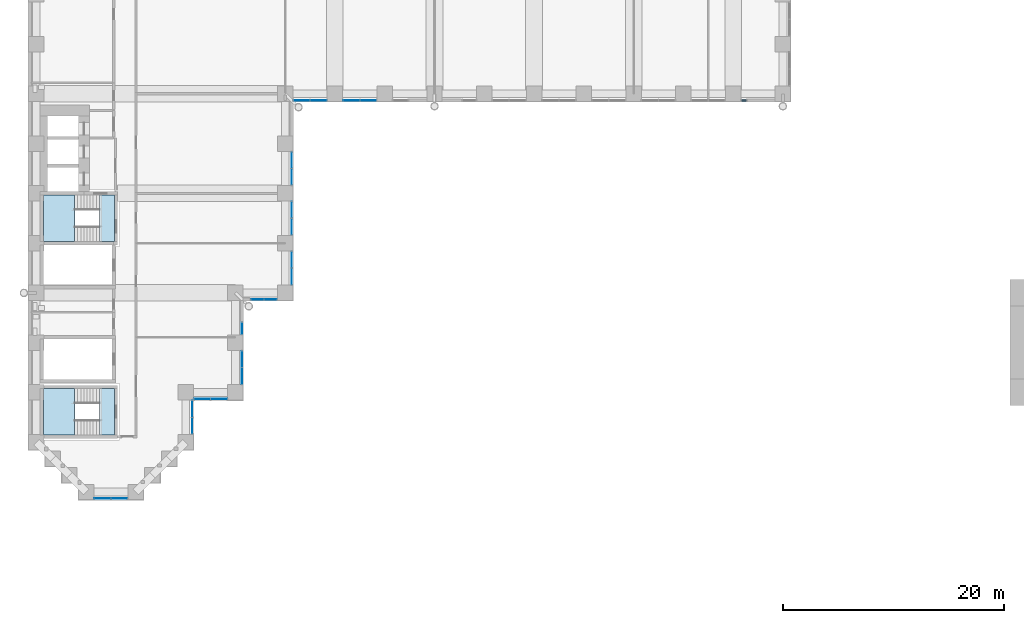
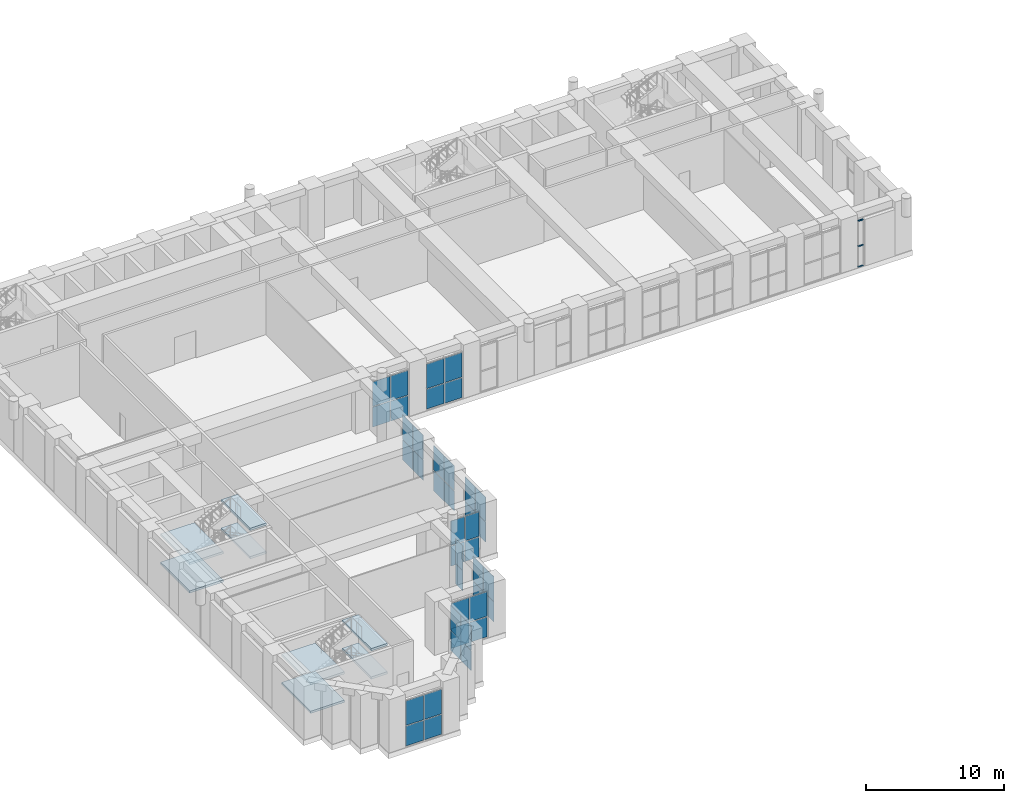
# One storey, part 13 of 35: 42 plates, 8 slabs, 3 members, 14 elements without a shape of their own.
"""IFC4 building model written with IfcOpenShell, lengths in metres."""

from ifc_helpers import new_model, si_unit, direction, frame, origin, origin_2d, place, context, subcontext, project, spatial, polyline, rectangle, outline, extrude, material, layer, layer_set, material_profile, profile_set, type_object, element, aggregate, save


model = new_model("IFC4")

# Units and contexts
model_context = context("Model", 3, precision=1e-05, world=origin(), true_north=direction((0.0, 1.0)))
body_context = subcontext(model_context, "Body", "Model", "MODEL_VIEW")
ifc_project = project(units=[si_unit("LENGTHUNIT", "METRE"), si_unit("AREAUNIT", "SQUARE_METRE"), si_unit("VOLUMEUNIT", "CUBIC_METRE"), si_unit("PLANEANGLEUNIT", "RADIAN"), si_unit("MASSUNIT", "GRAM", prefix="KILO")], contexts=[model_context])

# Site, building, storey
site_placement = place(None, origin())
site = spatial("IfcSite", under=ifc_project, at=site_placement, CompositionType="ELEMENT")
building_placement = place(site_placement, origin())
building = spatial("IfcBuilding", under=site, at=building_placement, Name="Firuza Court", CompositionType="ELEMENT")
storey_placement = place(building_placement, frame((0.0, 0.0, 24.0)))
storey = spatial("IfcBuildingStorey", under=building, at=storey_placement, Name="L04", CompositionType="ELEMENT", Elevation=24.0)

# Curtain wall, members
ifc_material_1 = material(Name="Aluminium curtain wall, triple clear glazing", Category="aluminium")
curtain_wall_type = type_object("IfcCurtainWallType", Name="Podium unitised curtain wall CW1", PredefinedType="NOTDEFINED", material=ifc_material_1)
curtain_wall_1_placement = place(storey_placement, origin())
curtain_wall_1 = element("IfcCurtainWall", 1, at=curtain_wall_1_placement, inside=storey, type_object=curtain_wall_type, Name="Podium unitised curtain wall CW1 L04", PredefinedType="NOTDEFINED")
ifc_material_2 = material(Name="Aluminium EN AW-6060 T66", Category="aluminium")
ifc_material_profile = material_profile(ifc_material_2, rectangle(XDim=0.1201171875, YDim=0.06005859375, at=origin_2d()), Name="Transom 120 x 60 CW1")
ifc_profile_set = profile_set([ifc_material_profile], Name="Aluminium EN AW-6060 T66")
member_type = type_object("IfcMemberType", Name="Transom 120 x 60 CW1", PredefinedType="USERDEFINED", material=ifc_profile_set)
member_1_placement = place(storey_placement, frame((63.760009765625, 35.39990234375, 0.030029296875), z_axis=(1.0, 0.0, 0.0), x_axis=(0.0, 1.0, 0.0)))
member_1 = element("IfcMember", 2, at=member_1_placement, type_object=member_type, Name="CW1 transom 1.1", ObjectType="TRANSOM", PredefinedType="USERDEFINED", context=body_context, shape_type="SweptSolid", body=[
    extrude(rectangle(XDim=0.1201171875, YDim=0.06005859375, at=origin_2d()), origin(), (0.0, 0.0, 1.0), 0.436767578125),
])
member_2_placement = place(storey_placement, frame((63.760009765625, 35.39990234375, 1.844970703125), z_axis=(1.0, 0.0, 0.0), x_axis=(0.0, 1.0, 0.0)))
member_2 = element("IfcMember", 3, at=member_2_placement, type_object=member_type, Name="CW1 transom 1.2", ObjectType="TRANSOM", PredefinedType="USERDEFINED", context=body_context, shape_type="SweptSolid", body=[
    extrude(rectangle(XDim=0.1201171875, YDim=0.06005859375, at=origin_2d()), origin(), (0.0, 0.0, 1.0), 0.436767578125),
])
member_3_placement = place(storey_placement, frame((63.760009765625, 35.39990234375, 4.070068359375), z_axis=(1.0, 0.0, 0.0), x_axis=(0.0, 1.0, 0.0)))
member_3 = element("IfcMember", 4, at=member_3_placement, type_object=member_type, Name="CW1 transom 1.3", ObjectType="TRANSOM", PredefinedType="USERDEFINED", context=body_context, shape_type="SweptSolid", body=[
    extrude(rectangle(XDim=0.1201171875, YDim=0.06005859375, at=origin_2d()), origin(), (0.0, 0.0, 1.0), 0.436767578125),
])
aggregate(curtain_wall_1, [member_1, member_2, member_3])

# Curtain wall, plates
curtain_wall_2_placement = place(storey_placement, origin())
curtain_wall_2 = element("IfcCurtainWall", 5, at=curtain_wall_2_placement, inside=storey, type_object=curtain_wall_type, Name="Podium unitised curtain wall CW1 L04", PredefinedType="NOTDEFINED")
ifc_material_3 = material(Name="Triple clear glazing", Category="glass")
ifc_layer_1 = layer(ifc_material_3, 0.031982421875)
ifc_layer_set_1 = layer_set([ifc_layer_1], Name="Triple clear glazing")
plate_type = type_object("IfcPlateType", Name="Glazed panel 32 CW1", PredefinedType="CURTAIN_PANEL", material=ifc_layer_set_1)
plate_1_placement = place(storey_placement, frame((14.10009765625, 5.989990234375, 0.06005859375), z_axis=(0.0, 0.0, 1.0), x_axis=(0.0, 1.0, 0.0)))
plate_1 = element("IfcPlate", 6, at=plate_1_placement, type_object=plate_type, Name="CW1 panel 1.1", PredefinedType="CURTAIN_PANEL", context=body_context, shape_type="SweptSolid", body=[
    extrude(rectangle(XDim=1.4599609375, YDim=0.031982421875, at=origin_2d()), origin(), (0.0, 0.0, 1.0), 1.7548828125),
])
plate_2_placement = place(storey_placement, frame((14.10009765625, 5.989990234375, 1.875), z_axis=(0.0, 0.0, 1.0), x_axis=(0.0, 1.0, 0.0)))
plate_2 = element("IfcPlate", 7, at=plate_2_placement, type_object=plate_type, Name="CW1 panel 1.2", PredefinedType="CURTAIN_PANEL", context=body_context, shape_type="SweptSolid", body=[
    extrude(rectangle(XDim=1.4599609375, YDim=0.031982421875, at=origin_2d()), origin(), (0.0, 0.0, 1.0), 2.1650390625),
])
plate_3_placement = place(storey_placement, frame((14.10009765625, 7.510009765625, 0.06005859375), z_axis=(0.0, 0.0, 1.0), x_axis=(0.0, 1.0, 0.0)))
plate_3 = element("IfcPlate", 8, at=plate_3_placement, type_object=plate_type, Name="CW1 panel 2.1", PredefinedType="CURTAIN_PANEL", context=body_context, shape_type="SweptSolid", body=[
    extrude(rectangle(XDim=1.4599609375, YDim=0.031982421875, at=origin_2d()), origin(), (0.0, 0.0, 1.0), 1.7548828125),
])
plate_4_placement = place(storey_placement, frame((14.10009765625, 7.510009765625, 1.875), z_axis=(0.0, 0.0, 1.0), x_axis=(0.0, 1.0, 0.0)))
plate_4 = element("IfcPlate", 9, at=plate_4_placement, type_object=plate_type, Name="CW1 panel 2.2", PredefinedType="CURTAIN_PANEL", context=body_context, shape_type="SweptSolid", body=[
    extrude(rectangle(XDim=1.4599609375, YDim=0.031982421875, at=origin_2d()), origin(), (0.0, 0.0, 1.0), 2.1650390625),
])
aggregate(curtain_wall_2, [plate_1, plate_2, plate_3, plate_4])

curtain_wall_3_placement = place(storey_placement, origin())
curtain_wall_3 = element("IfcCurtainWall", 10, at=curtain_wall_3_placement, inside=storey, type_object=curtain_wall_type, Name="Podium unitised curtain wall CW1 L04", PredefinedType="NOTDEFINED")
plate_5_placement = place(storey_placement, frame((14.989990234375, 8.39990234375, 0.06005859375), z_axis=(0.0, 0.0, 1.0), x_axis=(1.0, 0.0, 0.0)))
plate_5 = element("IfcPlate", 11, at=plate_5_placement, type_object=plate_type, Name="CW1 panel 1.1", PredefinedType="CURTAIN_PANEL", context=body_context, shape_type="SweptSolid", body=[
    extrude(rectangle(XDim=1.4599609375, YDim=0.031982421875, at=origin_2d()), origin(), (0.0, 0.0, 1.0), 1.7548828125),
])
plate_6_placement = place(storey_placement, frame((14.989990234375, 8.39990234375, 1.875), z_axis=(0.0, 0.0, 1.0), x_axis=(1.0, 0.0, 0.0)))
plate_6 = element("IfcPlate", 12, at=plate_6_placement, type_object=plate_type, Name="CW1 panel 1.2", PredefinedType="CURTAIN_PANEL", context=body_context, shape_type="SweptSolid", body=[
    extrude(rectangle(XDim=1.4599609375, YDim=0.031982421875, at=origin_2d()), origin(), (0.0, 0.0, 1.0), 2.1650390625),
])
plate_7_placement = place(storey_placement, frame((16.510009765625, 8.39990234375, 0.06005859375), z_axis=(0.0, 0.0, 1.0), x_axis=(1.0, 0.0, 0.0)))
plate_7 = element("IfcPlate", 13, at=plate_7_placement, type_object=plate_type, Name="CW1 panel 2.1", PredefinedType="CURTAIN_PANEL", context=body_context, shape_type="SweptSolid", body=[
    extrude(rectangle(XDim=1.4599609375, YDim=0.031982421875, at=origin_2d()), origin(), (0.0, 0.0, 1.0), 1.7548828125),
])
plate_8_placement = place(storey_placement, frame((16.510009765625, 8.39990234375, 1.875), z_axis=(0.0, 0.0, 1.0), x_axis=(1.0, 0.0, 0.0)))
plate_8 = element("IfcPlate", 14, at=plate_8_placement, type_object=plate_type, Name="CW1 panel 2.2", PredefinedType="CURTAIN_PANEL", context=body_context, shape_type="SweptSolid", body=[
    extrude(rectangle(XDim=1.4599609375, YDim=0.031982421875, at=origin_2d()), origin(), (0.0, 0.0, 1.0), 2.1650390625),
])
aggregate(curtain_wall_3, [plate_5, plate_6, plate_7, plate_8])

curtain_wall_4_placement = place(storey_placement, origin())
curtain_wall_4 = element("IfcCurtainWall", 15, at=curtain_wall_4_placement, inside=storey, type_object=curtain_wall_type, Name="Podium unitised curtain wall CW1 L04", PredefinedType="NOTDEFINED")
plate_9_placement = place(storey_placement, frame((18.60009765625, 10.489990234375, 0.06005859375), z_axis=(0.0, 0.0, 1.0), x_axis=(0.0, 1.0, 0.0)))
plate_9 = element("IfcPlate", 16, at=plate_9_placement, type_object=plate_type, Name="CW1 panel 1.1", PredefinedType="CURTAIN_PANEL", context=body_context, shape_type="SweptSolid", body=[
    extrude(rectangle(XDim=1.4599609375, YDim=0.031982421875, at=origin_2d()), origin(), (0.0, 0.0, 1.0), 1.7548828125),
])
plate_10_placement = place(storey_placement, frame((18.60009765625, 10.489990234375, 1.875), z_axis=(0.0, 0.0, 1.0), x_axis=(0.0, 1.0, 0.0)))
plate_10 = element("IfcPlate", 17, at=plate_10_placement, type_object=plate_type, Name="CW1 panel 1.2", PredefinedType="CURTAIN_PANEL", context=body_context, shape_type="SweptSolid", body=[
    extrude(rectangle(XDim=1.4599609375, YDim=0.031982421875, at=origin_2d()), origin(), (0.0, 0.0, 1.0), 2.1650390625),
])
plate_11_placement = place(storey_placement, frame((18.60009765625, 12.010009765625, 0.06005859375), z_axis=(0.0, 0.0, 1.0), x_axis=(0.0, 1.0, 0.0)))
plate_11 = element("IfcPlate", 18, at=plate_11_placement, type_object=plate_type, Name="CW1 panel 2.1", PredefinedType="CURTAIN_PANEL", context=body_context, shape_type="SweptSolid", body=[
    extrude(rectangle(XDim=1.4599609375, YDim=0.031982421875, at=origin_2d()), origin(), (0.0, 0.0, 1.0), 1.7548828125),
])
plate_12_placement = place(storey_placement, frame((18.60009765625, 12.010009765625, 1.875), z_axis=(0.0, 0.0, 1.0), x_axis=(0.0, 1.0, 0.0)))
plate_12 = element("IfcPlate", 19, at=plate_12_placement, type_object=plate_type, Name="CW1 panel 2.2", PredefinedType="CURTAIN_PANEL", context=body_context, shape_type="SweptSolid", body=[
    extrude(rectangle(XDim=1.4599609375, YDim=0.031982421875, at=origin_2d()), origin(), (0.0, 0.0, 1.0), 2.1650390625),
])
aggregate(curtain_wall_4, [plate_9, plate_10, plate_11, plate_12])

curtain_wall_5_placement = place(storey_placement, origin())
curtain_wall_5 = element("IfcCurtainWall", 20, at=curtain_wall_5_placement, inside=storey, type_object=curtain_wall_type, Name="Podium unitised curtain wall CW1 L04", PredefinedType="NOTDEFINED")
plate_13_placement = place(storey_placement, frame((18.60009765625, 14.791015625, 0.06005859375), z_axis=(0.0, 0.0, 1.0), x_axis=(0.0, 1.0, 0.0)))
plate_13 = element("IfcPlate", 21, at=plate_13_placement, type_object=plate_type, Name="CW1 panel 1.1", PredefinedType="CURTAIN_PANEL", context=body_context, shape_type="SweptSolid", body=[
    extrude(rectangle(XDim=1.06201171875, YDim=0.031982421875, at=origin_2d()), origin(), (0.0, 0.0, 1.0), 1.7548828125),
])
plate_14_placement = place(storey_placement, frame((18.60009765625, 14.791015625, 1.875), z_axis=(0.0, 0.0, 1.0), x_axis=(0.0, 1.0, 0.0)))
plate_14 = element("IfcPlate", 22, at=plate_14_placement, type_object=plate_type, Name="CW1 panel 1.2", PredefinedType="CURTAIN_PANEL", context=body_context, shape_type="SweptSolid", body=[
    extrude(rectangle(XDim=1.06201171875, YDim=0.031982421875, at=origin_2d()), origin(), (0.0, 0.0, 1.0), 2.1650390625),
])
aggregate(curtain_wall_5, [plate_13, plate_14])

curtain_wall_6_placement = place(storey_placement, origin())
curtain_wall_6 = element("IfcCurtainWall", 23, at=curtain_wall_6_placement, inside=storey, type_object=curtain_wall_type, Name="Podium unitised curtain wall CW1 L04", PredefinedType="NOTDEFINED")
plate_15_placement = place(storey_placement, frame((19.9775390625, 17.39990234375, 0.06005859375), z_axis=(0.0, 0.0, 1.0), x_axis=(1.0, 0.0, 0.0)))
plate_15 = element("IfcPlate", 24, at=plate_15_placement, type_object=plate_type, Name="CW1 panel 1.1", PredefinedType="CURTAIN_PANEL", context=body_context, shape_type="SweptSolid", body=[
    extrude(rectangle(XDim=1.135009765625, YDim=0.031982421875, at=origin_2d()), origin(), (0.0, 0.0, 1.0), 1.7548828125),
])
plate_16_placement = place(storey_placement, frame((19.9775390625, 17.39990234375, 1.875), z_axis=(0.0, 0.0, 1.0), x_axis=(1.0, 0.0, 0.0)))
plate_16 = element("IfcPlate", 25, at=plate_16_placement, type_object=plate_type, Name="CW1 panel 1.2", PredefinedType="CURTAIN_PANEL", context=body_context, shape_type="SweptSolid", body=[
    extrude(rectangle(XDim=1.135009765625, YDim=0.031982421875, at=origin_2d()), origin(), (0.0, 0.0, 1.0), 2.1650390625),
])
plate_17_placement = place(storey_placement, frame((21.172607421875, 17.39990234375, 0.06005859375), z_axis=(0.0, 0.0, 1.0), x_axis=(1.0, 0.0, 0.0)))
plate_17 = element("IfcPlate", 26, at=plate_17_placement, type_object=plate_type, Name="CW1 panel 2.1", PredefinedType="CURTAIN_PANEL", context=body_context, shape_type="SweptSolid", body=[
    extrude(rectangle(XDim=1.135009765625, YDim=0.031982421875, at=origin_2d()), origin(), (0.0, 0.0, 1.0), 1.7548828125),
])
plate_18_placement = place(storey_placement, frame((21.172607421875, 17.39990234375, 1.875), z_axis=(0.0, 0.0, 1.0), x_axis=(1.0, 0.0, 0.0)))
plate_18 = element("IfcPlate", 27, at=plate_18_placement, type_object=plate_type, Name="CW1 panel 2.2", PredefinedType="CURTAIN_PANEL", context=body_context, shape_type="SweptSolid", body=[
    extrude(rectangle(XDim=1.135009765625, YDim=0.031982421875, at=origin_2d()), origin(), (0.0, 0.0, 1.0), 2.1650390625),
])
aggregate(curtain_wall_6, [plate_15, plate_16, plate_17, plate_18])

curtain_wall_7_placement = place(storey_placement, origin())
curtain_wall_7 = element("IfcCurtainWall", 28, at=curtain_wall_7_placement, inside=storey, type_object=curtain_wall_type, Name="Podium unitised curtain wall CW1 L04", PredefinedType="NOTDEFINED")
plate_19_placement = place(storey_placement, frame((23.10009765625, 19.489990234375, 0.06005859375), z_axis=(0.0, 0.0, 1.0), x_axis=(0.0, 1.0, 0.0)))
plate_19 = element("IfcPlate", 29, at=plate_19_placement, type_object=plate_type, Name="CW1 panel 1.1", PredefinedType="CURTAIN_PANEL", context=body_context, shape_type="SweptSolid", body=[
    extrude(rectangle(XDim=1.4599609375, YDim=0.031982421875, at=origin_2d()), origin(), (0.0, 0.0, 1.0), 1.7548828125),
])
plate_20_placement = place(storey_placement, frame((23.10009765625, 19.489990234375, 1.875), z_axis=(0.0, 0.0, 1.0), x_axis=(0.0, 1.0, 0.0)))
plate_20 = element("IfcPlate", 30, at=plate_20_placement, type_object=plate_type, Name="CW1 panel 1.2", PredefinedType="CURTAIN_PANEL", context=body_context, shape_type="SweptSolid", body=[
    extrude(rectangle(XDim=1.4599609375, YDim=0.031982421875, at=origin_2d()), origin(), (0.0, 0.0, 1.0), 2.1650390625),
])
plate_21_placement = place(storey_placement, frame((23.10009765625, 21.010009765625, 0.06005859375), z_axis=(0.0, 0.0, 1.0), x_axis=(0.0, 1.0, 0.0)))
plate_21 = element("IfcPlate", 31, at=plate_21_placement, type_object=plate_type, Name="CW1 panel 2.1", PredefinedType="CURTAIN_PANEL", context=body_context, shape_type="SweptSolid", body=[
    extrude(rectangle(XDim=1.4599609375, YDim=0.031982421875, at=origin_2d()), origin(), (0.0, 0.0, 1.0), 1.7548828125),
])
plate_22_placement = place(storey_placement, frame((23.10009765625, 21.010009765625, 1.875), z_axis=(0.0, 0.0, 1.0), x_axis=(0.0, 1.0, 0.0)))
plate_22 = element("IfcPlate", 32, at=plate_22_placement, type_object=plate_type, Name="CW1 panel 2.2", PredefinedType="CURTAIN_PANEL", context=body_context, shape_type="SweptSolid", body=[
    extrude(rectangle(XDim=1.4599609375, YDim=0.031982421875, at=origin_2d()), origin(), (0.0, 0.0, 1.0), 2.1650390625),
])
aggregate(curtain_wall_7, [plate_19, plate_20, plate_21, plate_22])

curtain_wall_8_placement = place(storey_placement, origin())
curtain_wall_8 = element("IfcCurtainWall", 33, at=curtain_wall_8_placement, inside=storey, type_object=curtain_wall_type, Name="Podium unitised curtain wall CW1 L04", PredefinedType="NOTDEFINED")
plate_23_placement = place(storey_placement, frame((23.10009765625, 23.989990234375, 0.06005859375), z_axis=(0.0, 0.0, 1.0), x_axis=(0.0, 1.0, 0.0)))
plate_23 = element("IfcPlate", 34, at=plate_23_placement, type_object=plate_type, Name="CW1 panel 1.1", PredefinedType="CURTAIN_PANEL", context=body_context, shape_type="SweptSolid", body=[
    extrude(rectangle(XDim=1.4599609375, YDim=0.031982421875, at=origin_2d()), origin(), (0.0, 0.0, 1.0), 1.7548828125),
])
plate_24_placement = place(storey_placement, frame((23.10009765625, 23.989990234375, 1.875), z_axis=(0.0, 0.0, 1.0), x_axis=(0.0, 1.0, 0.0)))
plate_24 = element("IfcPlate", 35, at=plate_24_placement, type_object=plate_type, Name="CW1 panel 1.2", PredefinedType="CURTAIN_PANEL", context=body_context, shape_type="SweptSolid", body=[
    extrude(rectangle(XDim=1.4599609375, YDim=0.031982421875, at=origin_2d()), origin(), (0.0, 0.0, 1.0), 2.1650390625),
])
plate_25_placement = place(storey_placement, frame((23.10009765625, 25.510009765625, 0.06005859375), z_axis=(0.0, 0.0, 1.0), x_axis=(0.0, 1.0, 0.0)))
plate_25 = element("IfcPlate", 36, at=plate_25_placement, type_object=plate_type, Name="CW1 panel 2.1", PredefinedType="CURTAIN_PANEL", context=body_context, shape_type="SweptSolid", body=[
    extrude(rectangle(XDim=1.4599609375, YDim=0.031982421875, at=origin_2d()), origin(), (0.0, 0.0, 1.0), 1.7548828125),
])
plate_26_placement = place(storey_placement, frame((23.10009765625, 25.510009765625, 1.875), z_axis=(0.0, 0.0, 1.0), x_axis=(0.0, 1.0, 0.0)))
plate_26 = element("IfcPlate", 37, at=plate_26_placement, type_object=plate_type, Name="CW1 panel 2.2", PredefinedType="CURTAIN_PANEL", context=body_context, shape_type="SweptSolid", body=[
    extrude(rectangle(XDim=1.4599609375, YDim=0.031982421875, at=origin_2d()), origin(), (0.0, 0.0, 1.0), 2.1650390625),
])
aggregate(curtain_wall_8, [plate_23, plate_24, plate_25, plate_26])

curtain_wall_9_placement = place(storey_placement, origin())
curtain_wall_9 = element("IfcCurtainWall", 38, at=curtain_wall_9_placement, inside=storey, type_object=curtain_wall_type, Name="Podium unitised curtain wall CW1 L04", PredefinedType="NOTDEFINED")
plate_27_placement = place(storey_placement, frame((23.10009765625, 28.489990234375, 0.06005859375), z_axis=(0.0, 0.0, 1.0), x_axis=(0.0, 1.0, 0.0)))
plate_27 = element("IfcPlate", 39, at=plate_27_placement, type_object=plate_type, Name="CW1 panel 1.1", PredefinedType="CURTAIN_PANEL", context=body_context, shape_type="SweptSolid", body=[
    extrude(rectangle(XDim=1.4599609375, YDim=0.031982421875, at=origin_2d()), origin(), (0.0, 0.0, 1.0), 1.7548828125),
])
plate_28_placement = place(storey_placement, frame((23.10009765625, 28.489990234375, 1.875), z_axis=(0.0, 0.0, 1.0), x_axis=(0.0, 1.0, 0.0)))
plate_28 = element("IfcPlate", 40, at=plate_28_placement, type_object=plate_type, Name="CW1 panel 1.2", PredefinedType="CURTAIN_PANEL", context=body_context, shape_type="SweptSolid", body=[
    extrude(rectangle(XDim=1.4599609375, YDim=0.031982421875, at=origin_2d()), origin(), (0.0, 0.0, 1.0), 2.1650390625),
])
plate_29_placement = place(storey_placement, frame((23.10009765625, 30.010009765625, 0.06005859375), z_axis=(0.0, 0.0, 1.0), x_axis=(0.0, 1.0, 0.0)))
plate_29 = element("IfcPlate", 41, at=plate_29_placement, type_object=plate_type, Name="CW1 panel 2.1", PredefinedType="CURTAIN_PANEL", context=body_context, shape_type="SweptSolid", body=[
    extrude(rectangle(XDim=1.4599609375, YDim=0.031982421875, at=origin_2d()), origin(), (0.0, 0.0, 1.0), 1.7548828125),
])
plate_30_placement = place(storey_placement, frame((23.10009765625, 30.010009765625, 1.875), z_axis=(0.0, 0.0, 1.0), x_axis=(0.0, 1.0, 0.0)))
plate_30 = element("IfcPlate", 42, at=plate_30_placement, type_object=plate_type, Name="CW1 panel 2.2", PredefinedType="CURTAIN_PANEL", context=body_context, shape_type="SweptSolid", body=[
    extrude(rectangle(XDim=1.4599609375, YDim=0.031982421875, at=origin_2d()), origin(), (0.0, 0.0, 1.0), 2.1650390625),
])
aggregate(curtain_wall_9, [plate_27, plate_28, plate_29, plate_30])

curtain_wall_10_placement = place(storey_placement, origin())
curtain_wall_10 = element("IfcCurtainWall", 43, at=curtain_wall_10_placement, inside=storey, type_object=curtain_wall_type, Name="Podium unitised curtain wall CW1 L04", PredefinedType="NOTDEFINED")
plate_31_placement = place(storey_placement, frame((23.989990234375, 35.39990234375, 0.06005859375), z_axis=(0.0, 0.0, 1.0), x_axis=(1.0, 0.0, 0.0)))
plate_31 = element("IfcPlate", 44, at=plate_31_placement, type_object=plate_type, Name="CW1 panel 1.1", PredefinedType="CURTAIN_PANEL", context=body_context, shape_type="SweptSolid", body=[
    extrude(rectangle(XDim=1.4599609375, YDim=0.031982421875, at=origin_2d()), origin(), (0.0, 0.0, 1.0), 1.7548828125),
])
plate_32_placement = place(storey_placement, frame((23.989990234375, 35.39990234375, 1.875), z_axis=(0.0, 0.0, 1.0), x_axis=(1.0, 0.0, 0.0)))
plate_32 = element("IfcPlate", 45, at=plate_32_placement, type_object=plate_type, Name="CW1 panel 1.2", PredefinedType="CURTAIN_PANEL", context=body_context, shape_type="SweptSolid", body=[
    extrude(rectangle(XDim=1.4599609375, YDim=0.031982421875, at=origin_2d()), origin(), (0.0, 0.0, 1.0), 2.1650390625),
])
plate_33_placement = place(storey_placement, frame((25.510009765625, 35.39990234375, 0.06005859375), z_axis=(0.0, 0.0, 1.0), x_axis=(1.0, 0.0, 0.0)))
plate_33 = element("IfcPlate", 46, at=plate_33_placement, type_object=plate_type, Name="CW1 panel 2.1", PredefinedType="CURTAIN_PANEL", context=body_context, shape_type="SweptSolid", body=[
    extrude(rectangle(XDim=1.4599609375, YDim=0.031982421875, at=origin_2d()), origin(), (0.0, 0.0, 1.0), 1.7548828125),
])
plate_34_placement = place(storey_placement, frame((25.510009765625, 35.39990234375, 1.875), z_axis=(0.0, 0.0, 1.0), x_axis=(1.0, 0.0, 0.0)))
plate_34 = element("IfcPlate", 47, at=plate_34_placement, type_object=plate_type, Name="CW1 panel 2.2", PredefinedType="CURTAIN_PANEL", context=body_context, shape_type="SweptSolid", body=[
    extrude(rectangle(XDim=1.4599609375, YDim=0.031982421875, at=origin_2d()), origin(), (0.0, 0.0, 1.0), 2.1650390625),
])
aggregate(curtain_wall_10, [plate_31, plate_32, plate_33, plate_34])

curtain_wall_11_placement = place(storey_placement, origin())
curtain_wall_11 = element("IfcCurtainWall", 48, at=curtain_wall_11_placement, inside=storey, type_object=curtain_wall_type, Name="Podium unitised curtain wall CW1 L04", PredefinedType="NOTDEFINED")
plate_35_placement = place(storey_placement, frame((28.489990234375, 35.39990234375, 0.06005859375), z_axis=(0.0, 0.0, 1.0), x_axis=(1.0, 0.0, 0.0)))
plate_35 = element("IfcPlate", 49, at=plate_35_placement, type_object=plate_type, Name="CW1 panel 1.1", PredefinedType="CURTAIN_PANEL", context=body_context, shape_type="SweptSolid", body=[
    extrude(rectangle(XDim=1.4599609375, YDim=0.031982421875, at=origin_2d()), origin(), (0.0, 0.0, 1.0), 1.7548828125),
])
plate_36_placement = place(storey_placement, frame((28.489990234375, 35.39990234375, 1.875), z_axis=(0.0, 0.0, 1.0), x_axis=(1.0, 0.0, 0.0)))
plate_36 = element("IfcPlate", 50, at=plate_36_placement, type_object=plate_type, Name="CW1 panel 1.2", PredefinedType="CURTAIN_PANEL", context=body_context, shape_type="SweptSolid", body=[
    extrude(rectangle(XDim=1.4599609375, YDim=0.031982421875, at=origin_2d()), origin(), (0.0, 0.0, 1.0), 2.1650390625),
])
plate_37_placement = place(storey_placement, frame((30.010009765625, 35.39990234375, 0.06005859375), z_axis=(0.0, 0.0, 1.0), x_axis=(1.0, 0.0, 0.0)))
plate_37 = element("IfcPlate", 51, at=plate_37_placement, type_object=plate_type, Name="CW1 panel 2.1", PredefinedType="CURTAIN_PANEL", context=body_context, shape_type="SweptSolid", body=[
    extrude(rectangle(XDim=1.4599609375, YDim=0.031982421875, at=origin_2d()), origin(), (0.0, 0.0, 1.0), 1.7548828125),
])
plate_38_placement = place(storey_placement, frame((30.010009765625, 35.39990234375, 1.875), z_axis=(0.0, 0.0, 1.0), x_axis=(1.0, 0.0, 0.0)))
plate_38 = element("IfcPlate", 52, at=plate_38_placement, type_object=plate_type, Name="CW1 panel 2.2", PredefinedType="CURTAIN_PANEL", context=body_context, shape_type="SweptSolid", body=[
    extrude(rectangle(XDim=1.4599609375, YDim=0.031982421875, at=origin_2d()), origin(), (0.0, 0.0, 1.0), 2.1650390625),
])
aggregate(curtain_wall_11, [plate_35, plate_36, plate_37, plate_38])

curtain_wall_12_placement = place(storey_placement, origin())
curtain_wall_12 = element("IfcCurtainWall", 53, at=curtain_wall_12_placement, inside=storey, type_object=curtain_wall_type, Name="Podium unitised curtain wall CW1 L04", PredefinedType="NOTDEFINED")
plate_39_placement = place(storey_placement, frame((5.989990234375, -0.60009765625, 0.06005859375), z_axis=(0.0, 0.0, 1.0), x_axis=(1.0, 0.0, 0.0)))
plate_39 = element("IfcPlate", 54, at=plate_39_placement, type_object=plate_type, Name="CW1 panel 1.1", PredefinedType="CURTAIN_PANEL", context=body_context, shape_type="SweptSolid", body=[
    extrude(rectangle(XDim=1.4599609375, YDim=0.031982421875, at=origin_2d()), origin(), (0.0, 0.0, 1.0), 1.7548828125),
])
plate_40_placement = place(storey_placement, frame((5.989990234375, -0.60009765625, 1.875), z_axis=(0.0, 0.0, 1.0), x_axis=(1.0, 0.0, 0.0)))
plate_40 = element("IfcPlate", 55, at=plate_40_placement, type_object=plate_type, Name="CW1 panel 1.2", PredefinedType="CURTAIN_PANEL", context=body_context, shape_type="SweptSolid", body=[
    extrude(rectangle(XDim=1.4599609375, YDim=0.031982421875, at=origin_2d()), origin(), (0.0, 0.0, 1.0), 2.1650390625),
])
plate_41_placement = place(storey_placement, frame((7.510009765625, -0.60009765625, 0.06005859375), z_axis=(0.0, 0.0, 1.0), x_axis=(1.0, 0.0, 0.0)))
plate_41 = element("IfcPlate", 56, at=plate_41_placement, type_object=plate_type, Name="CW1 panel 2.1", PredefinedType="CURTAIN_PANEL", context=body_context, shape_type="SweptSolid", body=[
    extrude(rectangle(XDim=1.4599609375, YDim=0.031982421875, at=origin_2d()), origin(), (0.0, 0.0, 1.0), 1.7548828125),
])
plate_42_placement = place(storey_placement, frame((7.510009765625, -0.60009765625, 1.875), z_axis=(0.0, 0.0, 1.0), x_axis=(1.0, 0.0, 0.0)))
plate_42 = element("IfcPlate", 57, at=plate_42_placement, type_object=plate_type, Name="CW1 panel 2.2", PredefinedType="CURTAIN_PANEL", context=body_context, shape_type="SweptSolid", body=[
    extrude(rectangle(XDim=1.4599609375, YDim=0.031982421875, at=origin_2d()), origin(), (0.0, 0.0, 1.0), 2.1650390625),
])
aggregate(curtain_wall_12, [plate_39, plate_40, plate_41, plate_42])

# Stair, slabs
ifc_material_4 = material(Name="Concrete C40/50 precast", Category="concrete")
stair_type = type_object("IfcStairType", Name="Stair 1350 x 5000 4 flights", PredefinedType="QUARTER_TURN_STAIR", material=ifc_material_4)
stair_1_placement = place(storey_placement, origin())
stair_1 = element("IfcStair", 58, at=stair_1_placement, inside=storey, type_object=stair_type, Name="Stair 2 L04", PredefinedType="QUARTER_TURN_STAIR")
ifc_material_5 = material(Name="Concrete C40/50 precast", Category="concrete")
ifc_layer_2 = layer(ifc_material_5, 0.199951171875)
ifc_layer_set_2 = layer_set([ifc_layer_2], Name="Concrete C40/50 precast")
slab_type = type_object("IfcSlabType", Name="Stair landing 200", PredefinedType="LANDING", material=ifc_layer_set_2)
slab_1_placement = place(storey_placement, frame((0.0, 0.0, 1.050048828125)))
slab_1 = element("IfcSlab", 59, at=slab_1_placement, type_object=slab_type, Name="S2 landing 1", PredefinedType="LANDING", context=body_context, shape_type="SweptSolid", body=[
    extrude(outline(polyline([(3.4599609375, 22.64990234375), (3.4599609375, 26.85009765625), (0.64990234375, 26.85009765625), (0.64990234375, 22.64990234375), (3.4599609375, 22.64990234375)])), origin(), (0.0, 0.0, 1.0), 0.199951171875),
])
slab_2_placement = place(storey_placement, frame((0.0, 0.0, 2.300048828125)))
slab_2 = element("IfcSlab", 60, at=slab_2_placement, type_object=slab_type, Name="S2 landing 2", PredefinedType="LANDING", context=body_context, shape_type="SweptSolid", body=[
    extrude(outline(polyline([(7.050048828125, 22.64990234375), (7.050048828125, 26.85009765625), (5.699951171875, 26.85009765625), (5.699951171875, 22.64990234375), (7.050048828125, 22.64990234375)])), origin(), (0.0, 0.0, 1.0), 0.199951171875),
])
slab_3_placement = place(storey_placement, frame((0.0, 0.0, 3.550048828125)))
slab_3 = element("IfcSlab", 61, at=slab_3_placement, type_object=slab_type, Name="S2 landing 3", PredefinedType="LANDING", context=body_context, shape_type="SweptSolid", body=[
    extrude(outline(polyline([(3.4599609375, 22.64990234375), (3.4599609375, 26.85009765625), (0.64990234375, 26.85009765625), (0.64990234375, 22.64990234375), (3.4599609375, 22.64990234375)])), origin(), (0.0, 0.0, 1.0), 0.199951171875),
])
slab_4_placement = place(storey_placement, frame((0.0, 0.0, 4.800048828125)))
slab_4 = element("IfcSlab", 62, at=slab_4_placement, type_object=slab_type, Name="S2 landing 4", PredefinedType="LANDING", context=body_context, shape_type="SweptSolid", body=[
    extrude(outline(polyline([(7.050048828125, 22.64990234375), (7.050048828125, 26.85009765625), (5.699951171875, 26.85009765625), (5.699951171875, 22.64990234375), (7.050048828125, 22.64990234375)])), origin(), (0.0, 0.0, 1.0), 0.199951171875),
])
aggregate(stair_1, [slab_1, slab_2, slab_3, slab_4])

stair_2_placement = place(storey_placement, origin())
stair_2 = element("IfcStair", 63, at=stair_2_placement, inside=storey, type_object=stair_type, Name="Stair 5 L04", PredefinedType="QUARTER_TURN_STAIR")
slab_5_placement = place(storey_placement, frame((0.0, 0.0, 1.050048828125)))
slab_5 = element("IfcSlab", 64, at=slab_5_placement, type_object=slab_type, Name="S5 landing 1", PredefinedType="LANDING", context=body_context, shape_type="SweptSolid", body=[
    extrude(outline(polyline([(3.4599609375, 5.14990234375), (3.4599609375, 9.35009765625), (0.64990234375, 9.35009765625), (0.64990234375, 5.14990234375), (3.4599609375, 5.14990234375)])), origin(), (0.0, 0.0, 1.0), 0.199951171875),
])
slab_6_placement = place(storey_placement, frame((0.0, 0.0, 2.300048828125)))
slab_6 = element("IfcSlab", 65, at=slab_6_placement, type_object=slab_type, Name="S5 landing 2", PredefinedType="LANDING", context=body_context, shape_type="SweptSolid", body=[
    extrude(outline(polyline([(7.050048828125, 5.14990234375), (7.050048828125, 9.35009765625), (5.699951171875, 9.35009765625), (5.699951171875, 5.14990234375), (7.050048828125, 5.14990234375)])), origin(), (0.0, 0.0, 1.0), 0.199951171875),
])
slab_7_placement = place(storey_placement, frame((0.0, 0.0, 3.550048828125)))
slab_7 = element("IfcSlab", 66, at=slab_7_placement, type_object=slab_type, Name="S5 landing 3", PredefinedType="LANDING", context=body_context, shape_type="SweptSolid", body=[
    extrude(outline(polyline([(3.4599609375, 5.14990234375), (3.4599609375, 9.35009765625), (0.64990234375, 9.35009765625), (0.64990234375, 5.14990234375), (3.4599609375, 5.14990234375)])), origin(), (0.0, 0.0, 1.0), 0.199951171875),
])
slab_8_placement = place(storey_placement, frame((0.0, 0.0, 4.800048828125)))
slab_8 = element("IfcSlab", 67, at=slab_8_placement, type_object=slab_type, Name="S5 landing 4", PredefinedType="LANDING", context=body_context, shape_type="SweptSolid", body=[
    extrude(outline(polyline([(7.050048828125, 5.14990234375), (7.050048828125, 9.35009765625), (5.699951171875, 9.35009765625), (5.699951171875, 5.14990234375), (7.050048828125, 5.14990234375)])), origin(), (0.0, 0.0, 1.0), 0.199951171875),
])
aggregate(stair_2, [slab_5, slab_6, slab_7, slab_8])

save(model, "model.ifc")
